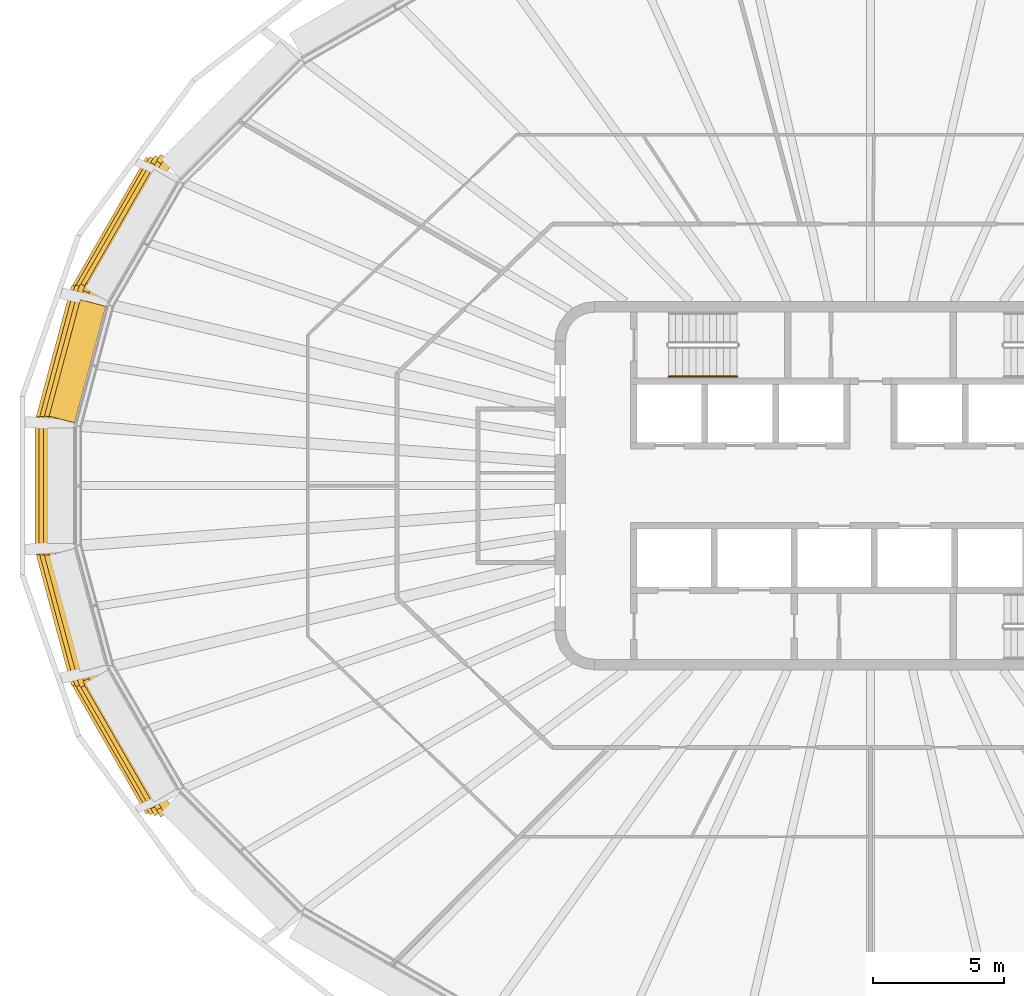
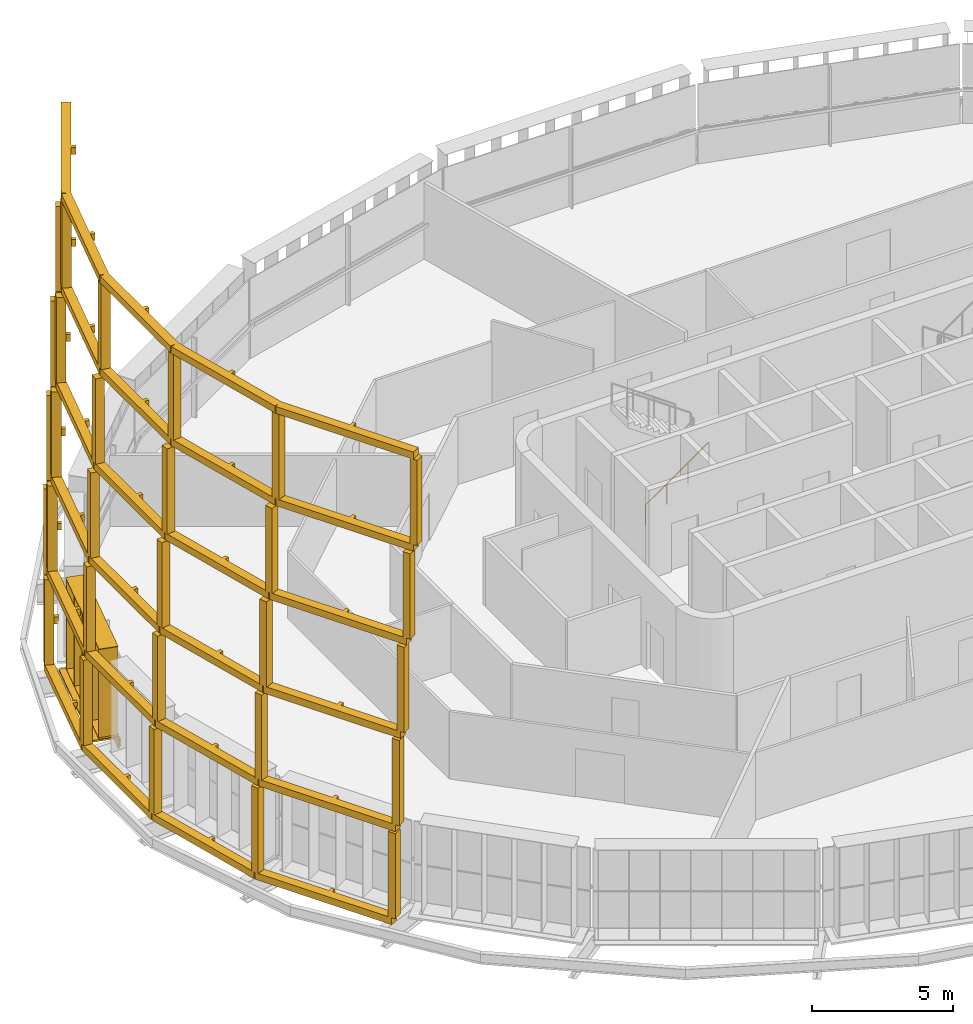
# One storey, part 16 of 21: 3 shading devices, 1 railing.
"""IFC4 building model written with IfcOpenShell, lengths in metres."""

import ifcopenshell
import ifcopenshell.guid

model = None  # the IFC model being written
_history = None  # IfcOwnerHistory: only IFC2X3 demands one
_inside = {}  # id of a spatial element -> (the spatial element, [elements in it])
_under = {}  # id of a project, library or spatial element -> (it, [spatial elements below it])
_declared = {}  # id of a project -> (the project, [libraries it declares])
_typed = {}  # id of a type object -> (the type object, [elements of that type])
_made_of = {}  # id of a material, layer set ... -> (it, [elements and type objects made of it])


def new_model(schema):
    """Start an empty IFC model of exactly this schema.

    Asked for "IFC4X3", IfcOpenShell would pick the latest addendum, in which some entities
    have other attributes; the version numbers below select the first issue.
    IFC2X3 requires an IfcOwnerHistory on every rooted entity: one is made here for all.
    """
    global model, _history
    if schema == "IFC4X3":
        model = ifcopenshell.file(schema_version=(4, 3, 0, 0))
    else:
        model = ifcopenshell.file(schema=schema)
    _inside.clear()
    _under.clear()
    _declared.clear()
    _typed.clear()
    _made_of.clear()
    _history = None
    if model.schema == "IFC2X3":
        org = make("IfcOrganization", Name="unknown")
        user = make(
            "IfcPersonAndOrganization",
            ThePerson=make("IfcPerson", FamilyName="unknown"),
            TheOrganization=org,
        )
        app = make(
            "IfcApplication",
            ApplicationDeveloper=org,
            Version="unknown",
            ApplicationFullName="unknown",
            ApplicationIdentifier="unknown",
        )
        _history = make(
            "IfcOwnerHistory",
            OwningUser=user,
            OwningApplication=app,
            ChangeAction="ADDED",
            CreationDate=0,
        )
    return model


def make(cls, **values):
    """One entity of the class cls with the attributes given. An attribute that is None is left unset."""
    return model.create_entity(
        cls, **{name: value for name, value in values.items() if value is not None}
    )


def rooted(cls, **values):
    """An entity with a GlobalId (a new one), such as an element, a storey or a relation."""
    return make(cls, GlobalId=ifcopenshell.guid.new(), OwnerHistory=_history, **values)


def si_unit(unit_type, name, prefix=None):
    """IfcSIUnit, for example si_unit("LENGTHUNIT", "METRE", prefix="MILLI")."""
    return make("IfcSIUnit", UnitType=unit_type, Prefix=prefix, Name=name)


def assignment(units):
    """IfcUnitAssignment: the units of a project."""
    return None if units is None else make("IfcUnitAssignment", Units=units)


def point(xyz):
    """IfcCartesianPoint."""
    return None if xyz is None else make("IfcCartesianPoint", Coordinates=xyz)


def direction(xyz):
    """IfcDirection."""
    return None if xyz is None else make("IfcDirection", DirectionRatios=xyz)


def frame(location, z_axis=None, x_axis=None):
    """IfcAxis2Placement3D, a coordinate frame: its origin and axes. An axis left out is left unset."""
    return make(
        "IfcAxis2Placement3D",
        Location=point(location),
        Axis=direction(z_axis),
        RefDirection=direction(x_axis),
    )


def frame_2d(location, x_axis=None):
    """IfcAxis2Placement2D, a coordinate frame in the plane: its origin and x axis."""
    return make(
        "IfcAxis2Placement2D", Location=point(location), RefDirection=direction(x_axis)
    )


def origin():
    """The frame at (0, 0, 0) with its axes left unset."""
    return frame((0.0, 0.0, 0.0))


def origin_2d():
    """The frame at (0, 0) in the plane with its x axis left unset."""
    return frame_2d((0.0, 0.0))


def place(relative_to, where):
    """IfcLocalPlacement: puts the frame where relative to a parent placement (None: the world)."""
    return make(
        "IfcLocalPlacement", PlacementRelTo=relative_to, RelativePlacement=where
    )


def context(
    kind, dimensions, precision=None, world=None, true_north=None, identifier=None
):
    """IfcGeometricRepresentationContext, for example the 3D "Model" context."""
    return make(
        "IfcGeometricRepresentationContext",
        ContextIdentifier=identifier,
        ContextType=kind,
        CoordinateSpaceDimension=dimensions,
        Precision=precision,
        WorldCoordinateSystem=world,
        TrueNorth=true_north,
    )


def subcontext(parent, identifier, kind, view, scale=None):
    """IfcGeometricRepresentationSubContext, for example "Body" below "Model"."""
    return make(
        "IfcGeometricRepresentationSubContext",
        ContextIdentifier=identifier,
        ContextType=kind,
        ParentContext=parent,
        TargetScale=scale,
        TargetView=view,
    )


def project(units=None, contexts=None):
    """IfcProject with its units and contexts."""
    return rooted(
        "IfcProject",
        Name="project",
        RepresentationContexts=contexts,
        UnitsInContext=assignment(units),
    )


def spatial(cls, under=None, at=None, **own):
    """A site, building, storey or space (cls), placed at a placement, below another one or the project."""
    s = rooted(cls, ObjectPlacement=at, **own)
    if under is not None:
        _under.setdefault(under.id(), (under, []))[1].append(s)
    return s


def polyline(points):
    """IfcPolyline through the points."""
    return make("IfcPolyline", Points=[point(p) for p in points])


def profile(cls, at=None, kind="AREA", **sizes):
    """A parametric profile (cls). Its sizes go by their IFC names, for example OverallWidth=200.0."""
    return make(cls, ProfileType=kind, Position=at, **sizes)


def rectangle(**sizes):
    """IfcRectangleProfileDef."""
    return profile("IfcRectangleProfileDef", **sizes)


def circle(**sizes):
    """IfcCircleProfileDef."""
    return profile("IfcCircleProfileDef", **sizes)


def outline(outer, holes=None, kind="AREA"):
    """IfcArbitraryClosedProfileDef: a profile drawn as a closed curve; with holes, ...WithVoids."""
    if holes is None:
        return make("IfcArbitraryClosedProfileDef", ProfileType=kind, OuterCurve=outer)
    return make(
        "IfcArbitraryProfileDefWithVoids",
        ProfileType=kind,
        OuterCurve=outer,
        InnerCurves=holes,
    )


def extrude(swept, where, along, depth):
    """IfcExtrudedAreaSolid: the profile swept, set in the frame where, extruded along a direction by depth."""
    return make(
        "IfcExtrudedAreaSolid",
        SweptArea=swept,
        Position=where,
        ExtrudedDirection=direction(along),
        Depth=depth,
    )


def shape(context_of_items, identifier, shape_type, items):
    """IfcShapeRepresentation: the items that make up one representation, for example the "Body"."""
    return make(
        "IfcShapeRepresentation",
        ContextOfItems=context_of_items,
        RepresentationIdentifier=identifier,
        RepresentationType=shape_type,
        Items=items,
    )


def material(Name=None, Category=None):
    """IfcMaterial."""
    return make("IfcMaterial", Name=Name, Category=Category)


def made_of(thing, what):
    """Note that an element or type object is made of a material, layer set ...; save() writes the relation."""
    if what is not None:
        _made_of.setdefault(what.id(), (what, []))[1].append(thing)
    return thing


def type_object(cls, material=None, **own):
    """A type object (cls), such as IfcWallType, which elements share."""
    return made_of(rooted(cls, **own), material)


def element(
    cls,
    number,
    at=None,
    inside=None,
    cuts=None,
    type_object=None,
    material=None,
    context=None,
    identifier="Body",
    shape_type=None,
    held_by="IfcProductDefinitionShape",
    body=None,
    shapes=None,
    **own,
):
    """One element of the class cls, such as IfcWall. Its Tag is "e" and its number.

    at: its placement. inside: the storey or other place that contains it. cuts: it is an
    opening in that element (IfcRelVoidsElement). A single representation is given by context,
    identifier, shape_type and body (its items); several are given by shapes. held_by: the class
    of the entity that holds the representations. save() writes the other relations.
    """
    e = rooted(cls, Tag="e%d" % number, ObjectPlacement=at, **own)
    if body is not None:
        shapes = [shape(context, identifier, shape_type, body)]
    if shapes is not None:
        e.Representation = make(held_by, Representations=shapes)
    if inside is not None:
        _inside.setdefault(inside.id(), (inside, []))[1].append(e)
    if cuts is not None:
        rooted(
            "IfcRelVoidsElement", RelatingBuildingElement=cuts, RelatedOpeningElement=e
        )
    if type_object is not None:
        _typed.setdefault(type_object.id(), (type_object, []))[1].append(e)
    return made_of(e, material)


def aggregate(whole, parts):
    """IfcRelAggregates: a whole, such as a stair, and the parts it consists of."""
    return rooted("IfcRelAggregates", RelatingObject=whole, RelatedObjects=parts)


def save(model, path):
    """Write the relations noted so far, then the file.

    IfcRelAggregates (storeys below a building ...), IfcRelContainedInSpatialStructure (elements
    in a storey), IfcRelDefinesByType, IfcRelAssociatesMaterial and IfcRelDeclares: one each for
    every whole, place, type object, material and project.
    """
    for whole, parts in _under.values():
        aggregate(whole, parts)
    for where, things in _inside.values():
        rooted(
            "IfcRelContainedInSpatialStructure",
            RelatedElements=things,
            RelatingStructure=where,
        )
    for kind, things in _typed.values():
        rooted("IfcRelDefinesByType", RelatedObjects=things, RelatingType=kind)
    for what, things in _made_of.values():
        rooted("IfcRelAssociatesMaterial", RelatedObjects=things, RelatingMaterial=what)
    for by, libraries in _declared.values():
        rooted("IfcRelDeclares", RelatingContext=by, RelatedDefinitions=libraries)
    model.write(path)


model = new_model("IFC4")

# Units and contexts
model_context = context("Model", 3, precision=1e-05, world=origin(), true_north=direction((0.0, 1.0)))
body_context = subcontext(model_context, "Body", "Model", "MODEL_VIEW")
ifc_project = project(units=[si_unit("LENGTHUNIT", "METRE"), si_unit("AREAUNIT", "SQUARE_METRE"), si_unit("VOLUMEUNIT", "CUBIC_METRE"), si_unit("PLANEANGLEUNIT", "RADIAN"), si_unit("MASSUNIT", "GRAM", prefix="KILO")], contexts=[model_context])

# Site, building, storey
site_placement = place(None, origin())
site = spatial("IfcSite", under=ifc_project, at=site_placement, CompositionType="ELEMENT")
building_placement = place(site_placement, origin())
building = spatial("IfcBuilding", under=site, at=building_placement, Name="Sahrelin Media Tower", CompositionType="ELEMENT")
storey_placement = place(building_placement, frame((0.0, 0.0, 259.0)))
storey = spatial("IfcBuildingStorey", under=building, at=storey_placement, Name="L56", CompositionType="ELEMENT", Elevation=259.0)

# Shading devices
ifc_material_1 = material(Name="Dark bronze anodised aluminium 6063-T6", Category="aluminium")
shading_device_type_1 = type_object("IfcShadingDeviceType", Name="Deep frame", PredefinedType="USERDEFINED", material=ifc_material_1)
shading_device_1_placement = place(storey_placement, frame((-26.32177734375, 11.61328125, 0.0), z_axis=(0.0, 0.0, 1.0), x_axis=(0.500011000363, 0.866019052629, 0.0)))
element("IfcShadingDevice", 1, at=shading_device_1_placement, inside=storey, type_object=shading_device_type_1, Name="L56:FRAME:F5-5", ObjectType="FRAME", PredefinedType="USERDEFINED", context=body_context, shape_type="SweptSolid", body=[
    extrude(rectangle(XDim=0.300048828125, YDim=0.35009765625, at=origin_2d()), frame((0.0, 1.324951171875, 0.14990234375), z_axis=(0.0, 0.0, 1.0), x_axis=(-1.0, 0.0, 0.0)), (0.0, 0.0, 1.0), 3.7001953125),
    extrude(rectangle(XDim=0.300048828125, YDim=0.35009765625, at=origin_2d()), frame((-5.604248046875, 1.313720703125, 0.14990234375), z_axis=(0.0, 0.0, 1.0), x_axis=(-0.991434606813, -0.130604059715, 0.0)), (0.0, 0.0, 1.0), 3.7001953125),
    extrude(rectangle(XDim=0.300048828125, YDim=0.35009765625, at=origin_2d()), frame((-10.55908203125, -0.01416015625, 0.14990234375), z_axis=(0.0, 0.0, 1.0), x_axis=(-0.923876860854, -0.382689882252, 0.0)), (0.0, 0.0, 1.0), 3.7001953125),
    extrude(rectangle(XDim=0.300048828125, YDim=0.35009765625, at=origin_2d()), frame((-14.822998046875, -2.475830078125, 0.14990234375), z_axis=(0.0, 0.0, 1.0), x_axis=(-0.793352277801, -0.608762813671, 0.0)), (0.0, 0.0, 1.0), 3.7001953125),
    extrude(rectangle(XDim=0.300048828125, YDim=0.35009765625, at=origin_2d()), frame((-18.450439453125, -6.103271484375, 0.14990234375), z_axis=(0.0, 0.0, 1.0), x_axis=(-0.608700502051, -0.793400087474, 0.0)), (0.0, 0.0, 1.0), 3.7001953125),
    extrude(rectangle(XDim=0.300048828125, YDim=0.35009765625, at=origin_2d()), frame((-21.26220703125, -10.951171875, 0.14990234375), z_axis=(0.0, 0.0, 1.0), x_axis=(-0.500010580459, -0.866019295067, 0.0)), (0.0, 0.0, 1.0), 3.7001953125),
    extrude(outline(polyline([(-21.41357421875, -10.86328125), (-21.11083984375, -11.038818359375), (-19.78564453125, -8.75439453125), (-19.634521484375, -8.841796875), (-19.5595703125, -8.7119140625), (-19.71044921875, -8.62451171875), (-18.310302734375, -6.210693359375), (-16.56591796875, -4.46630859375), (-16.44677734375, -4.585693359375), (-16.3408203125, -4.4794921875), (-16.4599609375, -4.3603515625), (-14.715576171875, -2.615966796875), (-12.668701171875, -1.43408203125), (-12.584228515625, -1.580078125), (-12.454345703125, -1.505126953125), (-12.538818359375, -1.359130859375), (-10.49169921875, -0.17724609375), (-8.10888671875, 0.461181640625), (-8.065185546875, 0.29833984375), (-7.92041015625, 0.337158203125), (-7.964111328125, 0.5), (-5.5810546875, 1.138671875), (-2.79052734375, 1.144287109375), (-2.79052734375, 0.969970703125), (-2.640625, 0.969970703125), (-2.640625, 1.144775390625), (0.00048828125, 1.14990234375), (-0.00048828125, 1.5), (-5.6044921875, 1.48876953125), (-5.604248046875, 1.313720703125), (-5.6494140625, 1.482666015625), (-10.6044921875, 0.15478515625), (-10.55908203125, -0.01416015625), (-10.646728515625, 0.137451171875), (-14.910400390625, -2.324462890625), (-14.822998046875, -2.475830078125), (-14.94677734375, -2.352294921875), (-18.57421875, -5.9794921875), (-18.450439453125, -6.103271484375), (-18.601806640625, -6.015380859375), (-21.41357421875, -10.86328125)])), frame((0.0, 0.0, -0.14990234375)), (0.0, 0.0, 1.0), 0.2998046875),
    extrude(rectangle(XDim=0.300048828125, YDim=0.35009765625, at=origin_2d()), frame((0.09619140625, 1.214111328125, 4.14990234375), z_axis=(0.0, 0.0, 1.0), x_axis=(-1.0, 0.0, 0.0)), (0.0, 0.0, 1.0), 3.7001953125),
    extrude(rectangle(XDim=0.300048828125, YDim=0.35009765625, at=origin_2d()), frame((-5.515625, 1.20263671875, 4.14990234375), z_axis=(0.0, 0.0, 1.0), x_axis=(-0.991436202368, -0.130591947046, 0.0)), (0.0, 0.0, 1.0), 3.7001953125),
    extrude(rectangle(XDim=0.300048828125, YDim=0.35009765625, at=origin_2d()), frame((-10.48388671875, -0.12890625, 4.14990234375), z_axis=(0.0, 0.0, 1.0), x_axis=(-0.923876860854, -0.382689882252, 0.0)), (0.0, 0.0, 1.0), 3.7001953125),
    extrude(rectangle(XDim=0.300048828125, YDim=0.35009765625, at=origin_2d()), frame((-14.76123046875, -2.598388671875, 4.14990234375), z_axis=(0.0, 0.0, 1.0), x_axis=(-0.793352277801, -0.608762813671, 0.0)), (0.0, 0.0, 1.0), 3.7001953125),
    extrude(rectangle(XDim=0.300048828125, YDim=0.35009765625, at=origin_2d()), frame((-18.3984375, -6.235595703125, 4.14990234375), z_axis=(0.0, 0.0, 1.0), x_axis=(-0.608700502051, -0.793400087474, 0.0)), (0.0, 0.0, 1.0), 3.7001953125),
    extrude(rectangle(XDim=0.300048828125, YDim=0.35009765625, at=origin_2d()), frame((-21.214111328125, -11.090087890625, 4.14990234375), z_axis=(0.0, 0.0, 1.0), x_axis=(-0.500010580459, -0.866019295067, 0.0)), (0.0, 0.0, 1.0), 3.7001953125),
    extrude(outline(polyline([(-21.365478515625, -11.002197265625), (-21.062744140625, -11.177734375), (-19.73583984375, -8.889892578125), (-19.58447265625, -8.977294921875), (-19.509521484375, -8.847412109375), (-19.660400390625, -8.76025390625), (-18.258544921875, -6.343017578125), (-16.50927734375, -4.59375), (-16.389892578125, -4.712890625), (-16.283935546875, -4.60693359375), (-16.403076171875, -4.48779296875), (-14.65380859375, -2.73828125), (-12.60009765625, -1.552734375), (-12.515869140625, -1.69873046875), (-12.385986328125, -1.623779296875), (-12.47021484375, -1.477783203125), (-10.41650390625, -0.2919921875), (-8.027099609375, 0.348388671875), (-7.9833984375, 0.185546875), (-7.83837890625, 0.224365234375), (-7.882080078125, 0.38720703125), (-5.492431640625, 1.027587890625), (-2.6982421875, 1.033203125), (-2.6982421875, 0.85888671875), (-2.548095703125, 0.85888671875), (-2.548095703125, 1.03369140625), (0.0966796875, 1.0390625), (0.095947265625, 1.388916015625), (-5.51611328125, 1.377685546875), (-5.515625, 1.20263671875), (-5.560791015625, 1.37158203125), (-10.529296875, 0.040283203125), (-10.48388671875, -0.12890625), (-10.571533203125, 0.022705078125), (-14.848876953125, -2.44677734375), (-14.76123046875, -2.598388671875), (-14.885009765625, -2.474609375), (-18.522216796875, -6.11181640625), (-18.3984375, -6.235595703125), (-18.5498046875, -6.147705078125), (-21.365478515625, -11.002197265625)])), frame((0.0, 0.0, 3.85009765625)), (0.0, 0.0, 1.0), 0.2998046875),
    extrude(rectangle(XDim=0.300048828125, YDim=0.35009765625, at=origin_2d()), frame((0.218017578125, 1.07421875, 8.14990234375), z_axis=(0.0, 0.0, 1.0), x_axis=(-1.0, 0.0, 0.0)), (0.0, 0.0, 1.0), 3.7001953125),
    extrude(rectangle(XDim=0.300048828125, YDim=0.35009765625, at=origin_2d()), frame((-5.40380859375, 1.062744140625, 8.14990234375), z_axis=(0.0, 0.0, 1.0), x_axis=(-0.991447594891, -0.130505427419, 0.0)), (0.0, 0.0, 1.0), 3.7001953125),
    extrude(rectangle(XDim=0.300048828125, YDim=0.35009765625, at=origin_2d()), frame((-10.38916015625, -0.273193359375, 8.14990234375), z_axis=(0.0, 0.0, 1.0), x_axis=(-0.923876860854, -0.382689882252, 0.0)), (0.0, 0.0, 1.0), 3.7001953125),
    extrude(rectangle(XDim=0.300048828125, YDim=0.35009765625, at=origin_2d()), frame((-14.68359375, -2.752685546875, 8.14990234375), z_axis=(0.0, 0.0, 1.0), x_axis=(-0.793315089117, -0.608811275668, 0.0)), (0.0, 0.0, 1.0), 3.7001953125),
    extrude(rectangle(XDim=0.300048828125, YDim=0.35009765625, at=origin_2d()), frame((-18.333251953125, -6.40234375, 8.14990234375), z_axis=(0.0, 0.0, 1.0), x_axis=(-0.608700502051, -0.793400087474, 0.0)), (0.0, 0.0, 1.0), 3.7001953125),
    extrude(rectangle(XDim=0.300048828125, YDim=0.35009765625, at=origin_2d()), frame((-21.15380859375, -11.265380859375, 8.14990234375), z_axis=(0.0, 0.0, 1.0), x_axis=(-0.500010580459, -0.866019295067, 0.0)), (0.0, 0.0, 1.0), 3.7001953125),
    extrude(outline(polyline([(-21.30517578125, -11.177490234375), (-21.00244140625, -11.35302734375), (-19.673095703125, -9.06103515625), (-19.521728515625, -9.1484375), (-19.44677734375, -9.018310546875), (-19.597900390625, -8.931396484375), (-18.193359375, -6.510009765625), (-16.437744140625, -4.75439453125), (-16.318603515625, -4.87353515625), (-16.21240234375, -4.767578125), (-16.331787109375, -4.648193359375), (-14.576171875, -2.892822265625), (-12.513916015625, -1.701904296875), (-12.429443359375, -1.84814453125), (-12.299560546875, -1.773193359375), (-12.384033203125, -1.626953125), (-10.321533203125, -0.436279296875), (-7.923583984375, 0.206298828125), (-7.8798828125, 0.04345703125), (-7.735107421875, 0.082275390625), (-7.77880859375, 0.2451171875), (-5.380615234375, 0.8876953125), (-2.581298828125, 0.893310546875), (-2.581298828125, 0.718994140625), (-2.431396484375, 0.718994140625), (-2.431396484375, 0.893798828125), (0.21826171875, 0.899169921875), (0.217529296875, 1.2490234375), (-5.404052734375, 1.23779296875), (-5.40380859375, 1.062744140625), (-5.448974609375, 1.231689453125), (-10.4345703125, -0.104248046875), (-10.38916015625, -0.273193359375), (-10.476806640625, -0.12158203125), (-14.771240234375, -2.601318359375), (-14.68359375, -2.752685546875), (-14.807373046875, -2.62890625), (-18.45703125, -6.27880859375), (-18.333251953125, -6.40234375), (-18.484619140625, -6.314697265625), (-21.30517578125, -11.177490234375)])), frame((0.0, 0.0, 7.85009765625)), (0.0, 0.0, 1.0), 0.2998046875),
    extrude(rectangle(XDim=0.300048828125, YDim=0.35009765625, at=origin_2d()), frame((0.364990234375, 0.905517578125, 12.14990234375), z_axis=(0.0, 0.0, 1.0), x_axis=(-1.0, 0.0, 0.0)), (0.0, 0.0, 1.0), 3.7001953125),
    extrude(rectangle(XDim=0.300048828125, YDim=0.35009765625, at=origin_2d()), frame((-5.268310546875, 0.89404296875, 12.14990234375), z_axis=(0.0, 0.0, 1.0), x_axis=(-0.991449189241, -0.130493314592, 0.0)), (0.0, 0.0, 1.0), 3.7001953125),
    extrude(rectangle(XDim=0.300048828125, YDim=0.35009765625, at=origin_2d()), frame((-10.274658203125, -0.447509765625, 12.14990234375), z_axis=(0.0, 0.0, 1.0), x_axis=(-0.923876860854, -0.382689882252, 0.0)), (0.0, 0.0, 1.0), 3.7001953125),
    extrude(rectangle(XDim=0.300048828125, YDim=0.35009765625, at=origin_2d()), frame((-14.590087890625, -2.939208984375, 12.14990234375), z_axis=(0.0, 0.0, 1.0), x_axis=(-0.793315089117, -0.608811275668, 0.0)), (0.0, 0.0, 1.0), 3.7001953125),
    extrude(rectangle(XDim=0.300048828125, YDim=0.35009765625, at=origin_2d()), frame((-18.2548828125, -6.60400390625, 12.14990234375), z_axis=(0.0, 0.0, 1.0), x_axis=(-0.608748966968, -0.793362902596, 0.0)), (0.0, 0.0, 1.0), 3.7001953125),
    extrude(rectangle(XDim=0.300048828125, YDim=0.35009765625, at=origin_2d()), frame((-21.081298828125, -11.476806640625, 12.14990234375), z_axis=(0.0, 0.0, 1.0), x_axis=(-0.500010580459, -0.866019295067, 0.0)), (0.0, 0.0, 1.0), 3.7001953125),
    extrude(outline(polyline([(-21.232666015625, -11.38916015625), (-20.929931640625, -11.564697265625), (-19.59765625, -9.267578125), (-19.4462890625, -9.35498046875), (-19.371337890625, -9.22509765625), (-19.522216796875, -9.137939453125), (-18.114990234375, -6.711669921875), (-16.351806640625, -4.9482421875), (-16.232421875, -5.067626953125), (-16.12646484375, -4.96142578125), (-16.24560546875, -4.84228515625), (-14.482666015625, -3.0791015625), (-12.409912109375, -1.88232421875), (-12.325439453125, -2.0283203125), (-12.195556640625, -1.953369140625), (-12.27978515625, -1.807373046875), (-10.20703125, -0.610595703125), (-7.798583984375, 0.034912109375), (-7.7548828125, -0.128173828125), (-7.610107421875, -0.08935546875), (-7.65380859375, 0.073486328125), (-5.2451171875, 0.718994140625), (-2.440185546875, 0.724853515625), (-2.440185546875, 0.55029296875), (-2.290283203125, 0.55029296875), (-2.290283203125, 0.72509765625), (0.365234375, 0.73046875), (0.364501953125, 1.08056640625), (-5.268798828125, 1.069091796875), (-5.268310546875, 0.89404296875), (-5.313720703125, 1.06298828125), (-10.31982421875, -0.278564453125), (-10.274658203125, -0.447509765625), (-10.362060546875, -0.2958984375), (-14.677490234375, -2.78759765625), (-14.590087890625, -2.939208984375), (-14.7138671875, -2.8154296875), (-18.378662109375, -6.480224609375), (-18.2548828125, -6.60400390625), (-18.40625, -6.51611328125), (-21.232666015625, -11.38916015625)])), frame((0.0, 0.0, 11.85009765625)), (0.0, 0.0, 1.0), 0.2998046875),
    extrude(rectangle(XDim=0.300048828125, YDim=0.35009765625, at=origin_2d()), frame((0.53759765625, 0.7080078125, 16.14990234375), z_axis=(0.0, 0.0, 1.0), x_axis=(-1.0, 0.0, 0.0)), (0.0, 0.0, 1.0), 3.7001953125),
    extrude(rectangle(XDim=0.300048828125, YDim=0.35009765625, at=origin_2d()), frame((-5.109130859375, 0.696533203125, 16.14990234375), z_axis=(0.0, 0.0, 1.0), x_axis=(-0.991447594891, -0.130505427419, 0.0)), (0.0, 0.0, 1.0), 3.7001953125),
    extrude(rectangle(XDim=0.300048828125, YDim=0.35009765625, at=origin_2d()), frame((-10.14013671875, -0.651611328125, 16.14990234375), z_axis=(0.0, 0.0, 1.0), x_axis=(-0.923876860854, -0.382689882252, 0.0)), (0.0, 0.0, 1.0), 3.7001953125),
    extrude(rectangle(XDim=0.300048828125, YDim=0.35009765625, at=origin_2d()), frame((-14.480712890625, -3.157470703125, 16.14990234375), z_axis=(0.0, 0.0, 1.0), x_axis=(-0.793315089117, -0.608811275668, 0.0)), (0.0, 0.0, 1.0), 3.7001953125),
    extrude(rectangle(XDim=0.300048828125, YDim=0.35009765625, at=origin_2d()), frame((-18.16357421875, -6.840576171875, 16.14990234375), z_axis=(0.0, 0.0, 1.0), x_axis=(-0.608748966968, -0.793362902596, 0.0)), (0.0, 0.0, 1.0), 3.7001953125),
    extrude(rectangle(XDim=0.300048828125, YDim=0.35009765625, at=origin_2d()), frame((-20.99658203125, -11.72509765625, 16.14990234375), z_axis=(0.0, 0.0, 1.0), x_axis=(-0.499968258175, -0.86604372916, 0.0)), (0.0, 0.0, 1.0), 3.7001953125),
    extrude(outline(polyline([(-21.148193359375, -11.637451171875), (-20.84521484375, -11.81298828125), (-19.509521484375, -9.510009765625), (-19.3583984375, -9.597412109375), (-19.283203125, -9.467529296875), (-19.434326171875, -9.38037109375), (-18.023681640625, -6.947998046875), (-16.251220703125, -5.17578125), (-16.132080078125, -5.294921875), (-16.02587890625, -5.18896484375), (-16.145263671875, -5.069580078125), (-14.373046875, -3.297607421875), (-12.287841796875, -2.093505859375), (-12.20361328125, -2.239501953125), (-12.073486328125, -2.16455078125), (-12.157958984375, -2.0185546875), (-10.072509765625, -0.814697265625), (-7.65185546875, -0.166015625), (-7.608154296875, -0.328857421875), (-7.46337890625, -0.2900390625), (-7.507080078125, -0.127197265625), (-5.0859375, 0.521728515625), (-2.2744140625, 0.52734375), (-2.2744140625, 0.35302734375), (-2.124267578125, 0.35302734375), (-2.124267578125, 0.527587890625), (0.5380859375, 0.532958984375), (0.537353515625, 0.883056640625), (-5.109619140625, 0.87158203125), (-5.109130859375, 0.696533203125), (-5.154541015625, 0.86572265625), (-10.185546875, -0.482421875), (-10.14013671875, -0.651611328125), (-10.227783203125, -0.5), (-14.568115234375, -3.006103515625), (-14.480712890625, -3.157470703125), (-14.604248046875, -3.03369140625), (-18.287109375, -6.716796875), (-18.16357421875, -6.840576171875), (-18.31494140625, -6.752685546875), (-21.148193359375, -11.637451171875)])), frame((0.0, 0.0, 15.85009765625)), (0.0, 0.0, 1.0), 0.2998046875),
    extrude(outline(polyline([(-21.148193359375, -11.637451171875), (-20.84521484375, -11.81298828125), (-19.509521484375, -9.510009765625), (-19.3583984375, -9.597412109375), (-19.283203125, -9.467529296875), (-19.434326171875, -9.38037109375), (-18.023681640625, -6.947998046875), (-16.251220703125, -5.17578125), (-16.132080078125, -5.294921875), (-16.02587890625, -5.18896484375), (-16.145263671875, -5.069580078125), (-14.373046875, -3.297607421875), (-12.287841796875, -2.093505859375), (-12.20361328125, -2.239501953125), (-12.073486328125, -2.16455078125), (-12.157958984375, -2.0185546875), (-10.072509765625, -0.814697265625), (-7.65185546875, -0.166015625), (-7.608154296875, -0.328857421875), (-7.46337890625, -0.2900390625), (-7.507080078125, -0.127197265625), (-5.0859375, 0.521728515625), (-2.2744140625, 0.52734375), (-2.2744140625, 0.35302734375), (-2.124267578125, 0.35302734375), (-2.124267578125, 0.527587890625), (0.5380859375, 0.532958984375), (0.537353515625, 0.883056640625), (-5.109619140625, 0.87158203125), (-5.109130859375, 0.696533203125), (-5.154541015625, 0.86572265625), (-10.185546875, -0.482421875), (-10.14013671875, -0.651611328125), (-10.227783203125, -0.5), (-14.568115234375, -3.006103515625), (-14.480712890625, -3.157470703125), (-14.604248046875, -3.03369140625), (-18.287109375, -6.716796875), (-18.16357421875, -6.840576171875), (-18.31494140625, -6.752685546875), (-21.148193359375, -11.637451171875)])), frame((0.0, 0.0, 19.85009765625)), (0.0, 0.0, 1.0), 0.2998046875),
])
ifc_material_2 = material(Name="Champagne anodised aluminium 6063-T6", Category="aluminium")
shading_device_type_2 = type_object("IfcShadingDeviceType", Name="Fin cassette", PredefinedType="USERDEFINED", material=ifc_material_2)
placement = place(storey_placement, frame((-29.656494140625, 4.59912109375, 0.0), z_axis=(0.0, 0.0, 1.0), x_axis=(0.258807731996, 0.965928857556, 0.0)))
element("IfcShadingDevice", 2, at=placement, inside=storey, type_object=shading_device_type_2, Name="L56:FIN:L56-11", ObjectType="FIN", PredefinedType="USERDEFINED", context=body_context, shape_type="SweptSolid", body=[
    extrude(rectangle(XDim=4.60009765625, YDim=0.699951171875, at=origin_2d()), frame((0.0, 0.419921875, 0.0)), (0.0, 0.0, 1.0), 0.02001953125),
    extrude(rectangle(XDim=4.60009765625, YDim=0.699951171875, at=origin_2d()), frame((0.0, 0.419921875, 3.89990234375)), (0.0, 0.0, 1.0), 0.02001953125),
    extrude(rectangle(XDim=0.02001953125, YDim=0.699951171875, at=origin_2d()), frame((-2.199951171875, 0.419921875, 0.010009765625), z_axis=(0.0, 0.0, 1.0), x_axis=(1.0, 0.0, 0.0)), (0.0, 0.0, 1.0), 3.89990234375),
    extrude(rectangle(XDim=0.02001953125, YDim=0.699951171875, at=origin_2d()), frame((-1.10009765625, 0.419921875, 0.010009765625), z_axis=(0.0, 0.0, 1.0), x_axis=(1.0, 0.0, 0.0)), (0.0, 0.0, 1.0), 3.89990234375),
    extrude(rectangle(XDim=0.02001953125, YDim=0.699951171875, at=origin_2d()), frame((0.0, 0.419921875, 0.010009765625), z_axis=(0.0, 0.0, 1.0), x_axis=(1.0, 0.0, 0.0)), (0.0, 0.0, 1.0), 3.89990234375),
    extrude(rectangle(XDim=0.02001953125, YDim=0.699951171875, at=origin_2d()), frame((1.10009765625, 0.419921875, 0.010009765625), z_axis=(0.0, 0.0, 1.0), x_axis=(1.0, 0.0, 0.0)), (0.0, 0.0, 1.0), 3.89990234375),
    extrude(rectangle(XDim=0.02001953125, YDim=0.699951171875, at=origin_2d()), frame((2.199951171875, 0.419921875, 0.010009765625), z_axis=(0.0, 0.0, 1.0), x_axis=(1.0, 0.0, 0.0)), (0.0, 0.0, 1.0), 3.89990234375),
])

# Railing
ifc_material_3 = material(Name="Steel S355", Category="steel")
railing_type = type_object("IfcRailingType", Name="Stair handrail 900", PredefinedType="HANDRAIL", material=ifc_material_3)
railing_placement = place(storey_placement, frame((-7.675048828125, 4.14990234375, 0.181884765625)))
element("IfcRailing", 3, at=railing_placement, inside=storey, type_object=railing_type, Name="L56 ST1 stair handrail 1", PredefinedType="HANDRAIL", context=body_context, shape_type="SweptSolid", body=[
    extrude(circle(Radius=0.02392578125, at=origin_2d()), frame((0.0, 0.0, 0.8759765625), z_axis=(0.819521025635, 0.0, 0.573049115296), x_axis=(0.0, 1.0, 0.0)), (0.0, 0.0, 1.0), 3.172607421875),
    extrude(circle(Radius=0.02099609375, at=origin_2d()), origin(), (0.0, 0.0, 1.0), 0.851806640625),
    extrude(circle(Radius=0.02099609375, at=origin_2d()), frame((0.86669921875, 0.0, 0.60595703125)), (0.0, 0.0, 1.0), 0.851806640625),
    extrude(circle(Radius=0.02099609375, at=origin_2d()), frame((1.7333984375, 0.0, 1.212158203125)), (0.0, 0.0, 1.0), 0.851806640625),
    extrude(circle(Radius=0.02099609375, at=origin_2d()), frame((2.60009765625, 0.0, 1.818115234375)), (0.0, 0.0, 1.0), 0.851806640625),
])

# Shading device
shading_device_type_3 = type_object("IfcShadingDeviceType", Name="Sunshade band", PredefinedType="USERDEFINED", material=ifc_material_2)
element("IfcShadingDevice", 4, at=placement, inside=storey, type_object=shading_device_type_3, Name="L56:SUN:L56-11", ObjectType="SUNSHADE", PredefinedType="USERDEFINED", context=body_context, shape_type="SweptSolid", body=[
    extrude(rectangle(XDim=4.583984375, YDim=0.050048828125, at=origin_2d()), frame((0.0, 0.044921875, -0.55126953125)), (0.0, 0.0, 1.0), 0.471435546875),
    extrude(rectangle(XDim=4.583984375, YDim=1.0, at=origin_2d()), frame((0.0, 0.52001953125, -0.080078125)), (0.0, 0.0, 1.0), 0.080078125),
    extrude(rectangle(XDim=0.10009765625, YDim=0.074951171875, at=origin_2d()), frame((-2.19189453125, -0.017578125, -0.47021484375)), (0.0, 0.0, 1.0), 0.300048828125),
    extrude(rectangle(XDim=0.10009765625, YDim=0.074951171875, at=origin_2d()), frame((-0.730712890625, -0.017578125, -0.47021484375)), (0.0, 0.0, 1.0), 0.300048828125),
    extrude(rectangle(XDim=0.10009765625, YDim=0.074951171875, at=origin_2d()), frame((0.730712890625, -0.017578125, -0.47021484375)), (0.0, 0.0, 1.0), 0.300048828125),
    extrude(rectangle(XDim=0.10009765625, YDim=0.074951171875, at=origin_2d()), frame((2.19189453125, -0.017578125, -0.47021484375)), (0.0, 0.0, 1.0), 0.300048828125),
])

save(model, "model.ifc")
